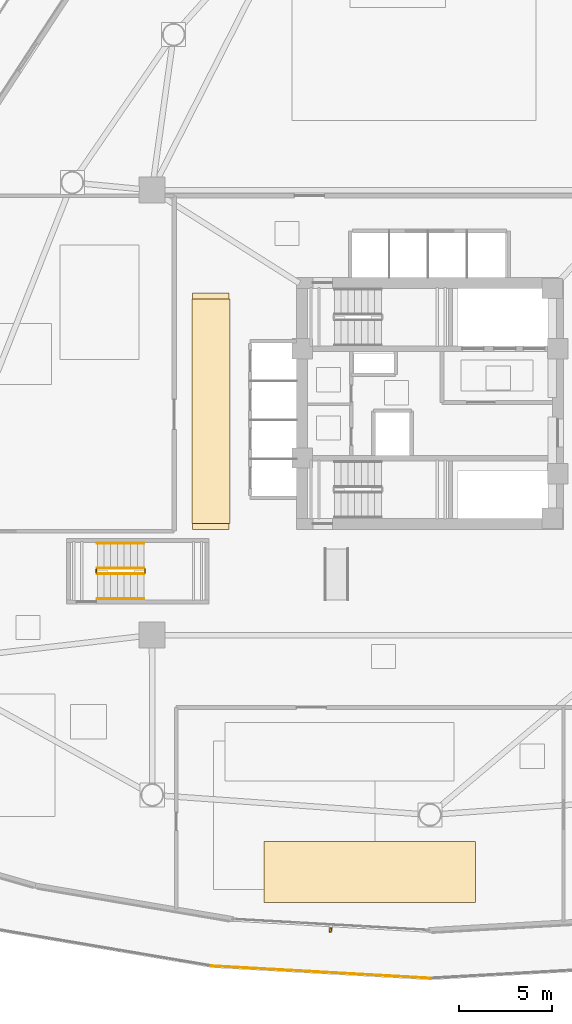
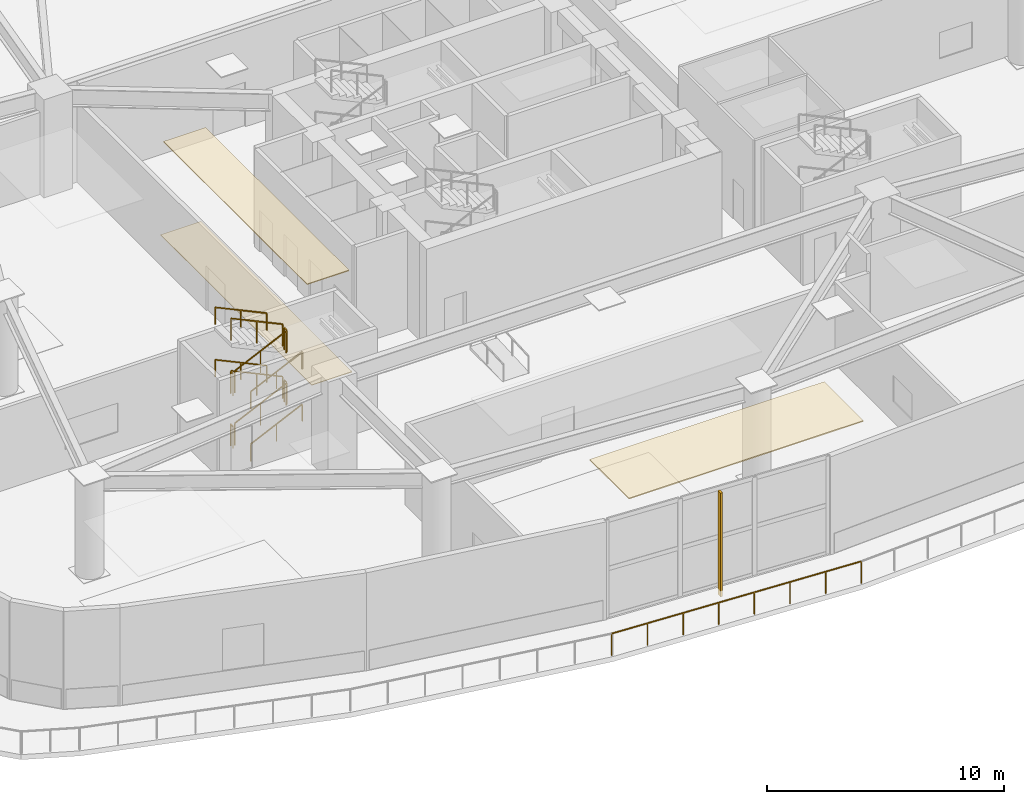
# One storey, part 18 of 25: 13 railings, 3 coverings, 1 shading device.
"""IFC4 building model written with IfcOpenShell, lengths in metres."""

from ifc_helpers import new_model, si_unit, direction, frame, origin, origin_2d, place, context, subcontext, project, spatial, polyline, rectangle, outline, extrude, source, transform, mapped, material, layer, layer_set, type_object, type_shapes, element, save


model = new_model("IFC4")

# Units and contexts
model_context = context("Model", 3, precision=1e-05, world=origin(), true_north=direction((0.0, 1.0)))
body_context = subcontext(model_context, "Body", "Model", "MODEL_VIEW")
ifc_project = project(units=[si_unit("LENGTHUNIT", "METRE"), si_unit("AREAUNIT", "SQUARE_METRE"), si_unit("VOLUMEUNIT", "CUBIC_METRE"), si_unit("PLANEANGLEUNIT", "RADIAN"), si_unit("MASSUNIT", "GRAM", prefix="KILO")], contexts=[model_context])

# Site, building, storey
site_placement = place(None, origin())
site = spatial("IfcSite", under=ifc_project, at=site_placement, CompositionType="ELEMENT")
building_placement = place(site_placement, origin())
building = spatial("IfcBuilding", under=site, at=building_placement, Name="Tavelor Broadcast Tower", CompositionType="ELEMENT")
storey_placement = place(building_placement, frame((0.0, 0.0, 11.39990234375)))
storey = spatial("IfcBuildingStorey", under=building, at=storey_placement, Name="L02", CompositionType="ELEMENT", Elevation=11.39990234375)

# Covering
ifc_material_1 = material(Name="Copper-Bronze Anodized Aluminium", Category="aluminium")
ifc_layer_1 = layer(ifc_material_1, 0.044921875)
ifc_layer_set_1 = layer_set([ifc_layer_1], Name="Copper-Bronze Anodized Aluminium")
covering_type_1 = type_object("IfcCoveringType", Name="Anodised Bronze Linear Slatted Concourse Ceiling 45 mm", PredefinedType="CEILING", material=ifc_layer_set_1)
covering_1_placement = place(storey_placement, frame((0.0, 0.0, 5.005126953125)))
element("IfcCovering", 1, at=covering_1_placement, inside=storey, type_object=covering_type_1, Name="L02 Suspended Acoustic Ceiling 0058", PredefinedType="CEILING", context=body_context, shape_type="SweptSolid", body=[
    extrude(outline(polyline([(37.1484375, 38.51025390625), (39.201416015625, 38.51025390625), (39.201416015625, 50.639892578125), (37.1484375, 50.639892578125), (37.1484375, 38.51025390625)])), origin(), (0.0, 0.0, 1.0), 0.044921875),
])

# Railings
ifc_material_2 = material(Name="Steel S355", Category="steel")
railing_type_1 = type_object("IfcRailingType", Name="Continuous Brushed Stainless Handrail 900 mm", PredefinedType="HANDRAIL", material=ifc_material_2)
railing_1_placement = place(storey_placement, frame((32.050048828125, 34.449951171875, 0.1689453125)))
element("IfcRailing", 2, at=railing_1_placement, inside=storey, type_object=railing_type_1, Name="L02 ST3 stair handrail 1", PredefinedType="HANDRAIL", context=body_context, shape_type="SweptSolid", body=[
    extrude(rectangle(XDim=0.048095703125, YDim=0.048095703125, at=origin_2d()), frame((0.0, 0.0, 0.8759765625), z_axis=(0.905473684625, 0.0, 0.424402410988), x_axis=(0.0, 1.0, 0.0)), (0.0, 0.0, 1.0), 2.783203125),
    extrude(rectangle(XDim=0.0419921875, YDim=0.0419921875, at=origin_2d()), origin(), (0.0, 0.0, 1.0), 0.851806640625),
    extrude(rectangle(XDim=0.0419921875, YDim=0.0419921875, at=origin_2d()), frame((1.260009765625, 0.0, 0.590576171875)), (0.0, 0.0, 1.0), 0.851806640625),
    extrude(rectangle(XDim=0.0419921875, YDim=0.0419921875, at=origin_2d()), frame((2.52001953125, 0.0, 1.18115234375)), (0.0, 0.0, 1.0), 0.851806640625),
])
railing_2_placement = place(storey_placement, frame((34.570068359375, 37.449951171875, 1.518798828125)))
element("IfcRailing", 3, at=railing_2_placement, inside=storey, type_object=railing_type_1, Name="L02 ST3 stair handrail 2", PredefinedType="HANDRAIL", context=body_context, shape_type="SweptSolid", body=[
    extrude(rectangle(XDim=0.048095703125, YDim=0.048095703125, at=origin_2d()), frame((0.0, 0.0, 0.8759765625), z_axis=(-0.905439972488, 0.0, 0.424474329284), x_axis=(0.0, -1.0, 0.0)), (0.0, 0.0, 1.0), 2.783203125),
    extrude(rectangle(XDim=0.0419921875, YDim=0.0419921875, at=origin_2d()), origin(), (0.0, 0.0, 1.0), 0.851806640625),
    extrude(rectangle(XDim=0.0419921875, YDim=0.0419921875, at=origin_2d()), frame((-1.260009765625, 0.0, 0.5908203125)), (0.0, 0.0, 1.0), 0.851806640625),
    extrude(rectangle(XDim=0.0419921875, YDim=0.0419921875, at=origin_2d()), frame((-2.52001953125, 0.0, 1.181396484375)), (0.0, 0.0, 1.0), 0.851806640625),
])
railing_3_placement = place(storey_placement, frame((32.050048828125, 34.449951171875, 2.868896484375)))
element("IfcRailing", 4, at=railing_3_placement, inside=storey, type_object=railing_type_1, Name="L02 ST3 stair handrail 3", PredefinedType="HANDRAIL", context=body_context, shape_type="SweptSolid", body=[
    extrude(rectangle(XDim=0.048095703125, YDim=0.048095703125, at=origin_2d()), frame((0.0, 0.0, 0.8759765625), z_axis=(0.905473684625, 0.0, 0.424402410988), x_axis=(0.0, 1.0, 0.0)), (0.0, 0.0, 1.0), 2.783203125),
    extrude(rectangle(XDim=0.0419921875, YDim=0.0419921875, at=origin_2d()), origin(), (0.0, 0.0, 1.0), 0.851806640625),
    extrude(rectangle(XDim=0.0419921875, YDim=0.0419921875, at=origin_2d()), frame((1.260009765625, 0.0, 0.590576171875)), (0.0, 0.0, 1.0), 0.851806640625),
    extrude(rectangle(XDim=0.0419921875, YDim=0.0419921875, at=origin_2d()), frame((2.52001953125, 0.0, 1.18115234375)), (0.0, 0.0, 1.0), 0.851806640625),
])
railing_4_placement = place(storey_placement, frame((34.570068359375, 37.449951171875, 4.21875)))
element("IfcRailing", 5, at=railing_4_placement, inside=storey, type_object=railing_type_1, Name="L02 ST3 stair handrail 4", PredefinedType="HANDRAIL", context=body_context, shape_type="SweptSolid", body=[
    extrude(rectangle(XDim=0.048095703125, YDim=0.048095703125, at=origin_2d()), frame((0.0, 0.0, 0.8759765625), z_axis=(-0.905439972488, 0.0, 0.424474329284), x_axis=(0.0, -1.0, 0.0)), (0.0, 0.0, 1.0), 2.783203125),
    extrude(rectangle(XDim=0.0419921875, YDim=0.0419921875, at=origin_2d()), origin(), (0.0, 0.0, 1.0), 0.851806640625),
    extrude(rectangle(XDim=0.0419921875, YDim=0.0419921875, at=origin_2d()), frame((-1.260009765625, 0.0, 0.5908203125)), (0.0, 0.0, 1.0), 0.851806640625),
    extrude(rectangle(XDim=0.0419921875, YDim=0.0419921875, at=origin_2d()), frame((-2.52001953125, 0.0, 1.181396484375)), (0.0, 0.0, 1.0), 0.851806640625),
])

# Coverings
ifc_material_3 = material(Name="Honed Natural Limestone Tile", Category="masonry")
ifc_layer_2 = layer(ifc_material_3, 0.030029296875)
ifc_layer_set_2 = layer_set([ifc_layer_2], Name="Honed Natural Limestone Tile")
covering_type_2 = type_object("IfcCoveringType", Name="Honed Jerusalem Limestone Concourse Flooring 30 mm", PredefinedType="FLOORING", material=ifc_layer_set_2)
covering_2_placement = place(storey_placement, origin())
element("IfcCovering", 6, at=covering_2_placement, inside=storey, type_object=covering_type_2, Name="L02 Broadcast Floor Finish 0024", PredefinedType="FLOORING", context=body_context, shape_type="SweptSolid", body=[
    extrude(outline(polyline([(37.193359375, 38.189208984375), (39.15673828125, 38.189208984375), (39.15673828125, 50.960693359375), (37.193359375, 50.960693359375), (37.193359375, 38.189208984375)])), origin(), (0.0, 0.0, 1.0), 0.030029296875),
])
ifc_material_4 = material(Name="Acoustic Perforated Timber Baffle", Category="wood")
ifc_layer_3 = layer(ifc_material_4, 0.054931640625)
ifc_layer_set_3 = layer_set([ifc_layer_3], Name="Acoustic Perforated Timber Baffle")
covering_type_3 = type_object("IfcCoveringType", Name="Micro-Perforated Acoustic Baffle Studio Ceiling 55 mm", PredefinedType="CEILING", material=ifc_layer_set_3)
covering_3_placement = place(storey_placement, frame((0.0, 0.0, 4.9951171875)))
element("IfcCovering", 7, at=covering_3_placement, inside=storey, type_object=covering_type_3, Name="L02 Suspended Acoustic Ceiling 0061", PredefinedType="CEILING", context=body_context, shape_type="SweptSolid", body=[
    extrude(outline(polyline([(41.033447265625, 18.061767578125), (52.466552734375, 18.061767578125), (52.466552734375, 21.37255859375), (41.033447265625, 21.37255859375), (41.033447265625, 18.061767578125)])), origin(), (0.0, 0.0, 1.0), 0.054931640625),
])

# Railings
railing_type_2 = type_object("IfcRailingType", Name="Planted Terrace Laminated Glass Balustrade 1150 mm", PredefinedType="BALUSTRADE", material=ifc_material_2)
railing_5_placement = place(storey_placement, frame((38.23046875, 14.64892578125, 0.0)))
element("IfcRailing", 8, at=railing_5_placement, inside=storey, type_object=railing_type_2, Name="L02 Cascading Garden Terrace 1 Balustrade #50", PredefinedType="BALUSTRADE", context=body_context, shape_type="SweptSolid", body=[
    extrude(rectangle(XDim=0.048095703125, YDim=0.048095703125, at=origin_2d()), frame((0.0, 0.0, 1.1259765625), z_axis=(0.998425186206, -0.0560994434, 0.0), x_axis=(0.0560994434, 0.998425186206, 0.0)), (0.0, 0.0, 1.0), 11.793701171875),
    extrude(rectangle(XDim=0.0419921875, YDim=0.0419921875, at=origin_2d()), origin(), (0.0, 0.0, 1.0), 1.101806640625),
    extrude(rectangle(XDim=0.0419921875, YDim=0.0419921875, at=origin_2d()), frame((1.68212890625, -0.094482421875, 0.0)), (0.0, 0.0, 1.0), 1.101806640625),
    extrude(rectangle(XDim=0.0419921875, YDim=0.0419921875, at=origin_2d()), frame((3.3642578125, -0.18896484375, 0.0)), (0.0, 0.0, 1.0), 1.101806640625),
    extrude(rectangle(XDim=0.0419921875, YDim=0.0419921875, at=origin_2d()), frame((5.04638671875, -0.283447265625, 0.0)), (0.0, 0.0, 1.0), 1.101806640625),
    extrude(rectangle(XDim=0.0419921875, YDim=0.0419921875, at=origin_2d()), frame((6.728759765625, -0.378173828125, 0.0)), (0.0, 0.0, 1.0), 1.101806640625),
    extrude(rectangle(XDim=0.0419921875, YDim=0.0419921875, at=origin_2d()), frame((8.410888671875, -0.47265625, 0.0)), (0.0, 0.0, 1.0), 1.101806640625),
    extrude(rectangle(XDim=0.0419921875, YDim=0.0419921875, at=origin_2d()), frame((10.093017578125, -0.567138671875, 0.0)), (0.0, 0.0, 1.0), 1.101806640625),
    extrude(rectangle(XDim=0.0419921875, YDim=0.0419921875, at=origin_2d()), frame((11.775146484375, -0.66162109375, 0.0)), (0.0, 0.0, 1.0), 1.101806640625),
])
railing_type_3 = type_object("IfcRailingType", Name="Stairwell Steel Safety Guardrail 1150 mm", PredefinedType="GUARDRAIL", material=ifc_material_2)
railing_6_placement = place(storey_placement, frame((32.050048828125, 35.800048828125, 0.1689453125)))
element("IfcRailing", 9, at=railing_6_placement, inside=storey, type_object=railing_type_3, Name="L02 ST3 stair guard 1", PredefinedType="GUARDRAIL", context=body_context, shape_type="SweptSolid", body=[
    extrude(rectangle(XDim=0.048095703125, YDim=0.048095703125, at=origin_2d()), frame((0.0, 0.0, 1.1259765625), z_axis=(0.905473684625, 0.0, 0.424402410988), x_axis=(0.0, 1.0, 0.0)), (0.0, 0.0, 1.0), 2.783203125),
    extrude(rectangle(XDim=0.0419921875, YDim=0.0419921875, at=origin_2d()), origin(), (0.0, 0.0, 1.0), 1.101806640625),
    extrude(rectangle(XDim=0.0419921875, YDim=0.0419921875, at=origin_2d()), frame((1.260009765625, 0.0, 0.590576171875)), (0.0, 0.0, 1.0), 1.101806640625),
    extrude(rectangle(XDim=0.0419921875, YDim=0.0419921875, at=origin_2d()), frame((2.52001953125, 0.0, 1.18115234375)), (0.0, 0.0, 1.0), 1.101806640625),
])
railing_7_placement = place(storey_placement, frame((34.6201171875, 35.85009765625, 1.35009765625)))
element("IfcRailing", 10, at=railing_7_placement, inside=storey, type_object=railing_type_3, Name="L02 ST3 stair guard 2", PredefinedType="GUARDRAIL", context=body_context, shape_type="SweptSolid", body=[
    extrude(rectangle(XDim=0.048095703125, YDim=0.048095703125, at=origin_2d()), frame((0.0, 0.0, 1.1259765625), z_axis=(0.0, 1.0, 0.0), x_axis=(-1.0, 0.0, 0.0)), (0.0, 0.0, 1.0), 0.199951171875),
    extrude(rectangle(XDim=0.0419921875, YDim=0.0419921875, at=origin_2d()), origin(), (0.0, 0.0, 1.0), 1.101806640625),
    extrude(rectangle(XDim=0.0419921875, YDim=0.0419921875, at=origin_2d()), frame((0.0, 0.199951171875, 0.0)), (0.0, 0.0, 1.0), 1.101806640625),
])
railing_8_placement = place(storey_placement, frame((34.570068359375, 36.10009765625, 1.518798828125)))
element("IfcRailing", 11, at=railing_8_placement, inside=storey, type_object=railing_type_3, Name="L02 ST3 stair guard 3", PredefinedType="GUARDRAIL", context=body_context, shape_type="SweptSolid", body=[
    extrude(rectangle(XDim=0.048095703125, YDim=0.048095703125, at=origin_2d()), frame((0.0, 0.0, 1.1259765625), z_axis=(-0.905439972488, 0.0, 0.424474329284), x_axis=(0.0, -1.0, 0.0)), (0.0, 0.0, 1.0), 2.783203125),
    extrude(rectangle(XDim=0.0419921875, YDim=0.0419921875, at=origin_2d()), origin(), (0.0, 0.0, 1.0), 1.101806640625),
    extrude(rectangle(XDim=0.0419921875, YDim=0.0419921875, at=origin_2d()), frame((-1.260009765625, 0.0, 0.5908203125)), (0.0, 0.0, 1.0), 1.101806640625),
    extrude(rectangle(XDim=0.0419921875, YDim=0.0419921875, at=origin_2d()), frame((-2.52001953125, 0.0, 1.181396484375)), (0.0, 0.0, 1.0), 1.101806640625),
])
railing_9_placement = place(storey_placement, frame((32.0, 35.85009765625, 2.7001953125)))
element("IfcRailing", 12, at=railing_9_placement, inside=storey, type_object=railing_type_3, Name="L02 ST3 stair guard 4", PredefinedType="GUARDRAIL", context=body_context, shape_type="SweptSolid", body=[
    extrude(rectangle(XDim=0.048095703125, YDim=0.048095703125, at=origin_2d()), frame((0.0, 0.0, 1.1259765625), z_axis=(0.0, 1.0, 0.0), x_axis=(-1.0, 0.0, 0.0)), (0.0, 0.0, 1.0), 0.199951171875),
    extrude(rectangle(XDim=0.0419921875, YDim=0.0419921875, at=origin_2d()), origin(), (0.0, 0.0, 1.0), 1.101806640625),
    extrude(rectangle(XDim=0.0419921875, YDim=0.0419921875, at=origin_2d()), frame((0.0, 0.199951171875, 0.0)), (0.0, 0.0, 1.0), 1.101806640625),
])
railing_10_placement = place(storey_placement, frame((32.050048828125, 35.800048828125, 2.868896484375)))
element("IfcRailing", 13, at=railing_10_placement, inside=storey, type_object=railing_type_3, Name="L02 ST3 stair guard 5", PredefinedType="GUARDRAIL", context=body_context, shape_type="SweptSolid", body=[
    extrude(rectangle(XDim=0.048095703125, YDim=0.048095703125, at=origin_2d()), frame((0.0, 0.0, 1.1259765625), z_axis=(0.905473684625, 0.0, 0.424402410988), x_axis=(0.0, 1.0, 0.0)), (0.0, 0.0, 1.0), 2.783203125),
    extrude(rectangle(XDim=0.0419921875, YDim=0.0419921875, at=origin_2d()), origin(), (0.0, 0.0, 1.0), 1.101806640625),
    extrude(rectangle(XDim=0.0419921875, YDim=0.0419921875, at=origin_2d()), frame((1.260009765625, 0.0, 0.590576171875)), (0.0, 0.0, 1.0), 1.101806640625),
    extrude(rectangle(XDim=0.0419921875, YDim=0.0419921875, at=origin_2d()), frame((2.52001953125, 0.0, 1.18115234375)), (0.0, 0.0, 1.0), 1.101806640625),
])
railing_11_placement = place(storey_placement, frame((34.6201171875, 35.85009765625, 4.050048828125)))
element("IfcRailing", 14, at=railing_11_placement, inside=storey, type_object=railing_type_3, Name="L02 ST3 stair guard 6", PredefinedType="GUARDRAIL", context=body_context, shape_type="SweptSolid", body=[
    extrude(rectangle(XDim=0.048095703125, YDim=0.048095703125, at=origin_2d()), frame((0.0, 0.0, 1.1259765625), z_axis=(0.0, 1.0, 0.0), x_axis=(-1.0, 0.0, 0.0)), (0.0, 0.0, 1.0), 0.199951171875),
    extrude(rectangle(XDim=0.0419921875, YDim=0.0419921875, at=origin_2d()), origin(), (0.0, 0.0, 1.0), 1.101806640625),
    extrude(rectangle(XDim=0.0419921875, YDim=0.0419921875, at=origin_2d()), frame((0.0, 0.199951171875, 0.0)), (0.0, 0.0, 1.0), 1.101806640625),
])
railing_12_placement = place(storey_placement, frame((34.570068359375, 36.10009765625, 4.21875)))
element("IfcRailing", 15, at=railing_12_placement, inside=storey, type_object=railing_type_3, Name="L02 ST3 stair guard 7", PredefinedType="GUARDRAIL", context=body_context, shape_type="SweptSolid", body=[
    extrude(rectangle(XDim=0.048095703125, YDim=0.048095703125, at=origin_2d()), frame((0.0, 0.0, 1.1259765625), z_axis=(-0.905439972488, 0.0, 0.424474329284), x_axis=(0.0, -1.0, 0.0)), (0.0, 0.0, 1.0), 2.783203125),
    extrude(rectangle(XDim=0.0419921875, YDim=0.0419921875, at=origin_2d()), origin(), (0.0, 0.0, 1.0), 1.101806640625),
    extrude(rectangle(XDim=0.0419921875, YDim=0.0419921875, at=origin_2d()), frame((-1.260009765625, 0.0, 0.5908203125)), (0.0, 0.0, 1.0), 1.101806640625),
    extrude(rectangle(XDim=0.0419921875, YDim=0.0419921875, at=origin_2d()), frame((-2.52001953125, 0.0, 1.181396484375)), (0.0, 0.0, 1.0), 1.101806640625),
])
railing_13_placement = place(storey_placement, frame((32.0, 35.85009765625, 0.0)))
element("IfcRailing", 16, at=railing_13_placement, inside=storey, type_object=railing_type_3, Name="L02 ST3 stair guard 8", PredefinedType="GUARDRAIL", context=body_context, shape_type="SweptSolid", body=[
    extrude(rectangle(XDim=0.048095703125, YDim=0.048095703125, at=origin_2d()), frame((0.0, 0.0, 1.1259765625), z_axis=(0.0, 1.0, 0.0), x_axis=(-1.0, 0.0, 0.0)), (0.0, 0.0, 1.0), 0.199951171875),
    extrude(rectangle(XDim=0.0419921875, YDim=0.0419921875, at=origin_2d()), origin(), (0.0, 0.0, 1.0), 1.101806640625),
    extrude(rectangle(XDim=0.0419921875, YDim=0.0419921875, at=origin_2d()), frame((0.0, 0.199951171875, 0.0)), (0.0, 0.0, 1.0), 1.101806640625),
])

# Shading device
ifc_material_5 = material(Name="Kiln-Fired Glazed Terracotta", Category="masonry")
shading_device_type = type_object("IfcShadingDeviceType", Name="Extruded Terracotta Baguette Sun-Screen 110x240", PredefinedType="JALOUSIE", material=ifc_material_5)
shared_shape = source(origin(), body_context, "Body", "SweptSolid", [
    extrude(rectangle(XDim=0.110107421875, YDim=0.239990234375, at=origin_2d()), origin(), (0.0, 0.0, 1.0), 5.340087890625),
])
type_shapes(shading_device_type, [shared_shape])
shading_device_placement = place(storey_placement, frame((44.6328125, 16.580078125, -0.31005859375), z_axis=(0.0, 0.0, 1.0), x_axis=(0.998421217973, -0.05617002316, 0.0)))
element("IfcShadingDevice", 17, at=shading_device_placement, inside=storey, type_object=shading_device_type, Name="L02 Terracotta Baguette Fin 9", PredefinedType="JALOUSIE", context=body_context, shape_type="MappedRepresentation", body=[
    mapped(shared_shape, transform((0.0, 0.0, 0.0), scale=1.0)),
])

save(model, "model.ifc")
